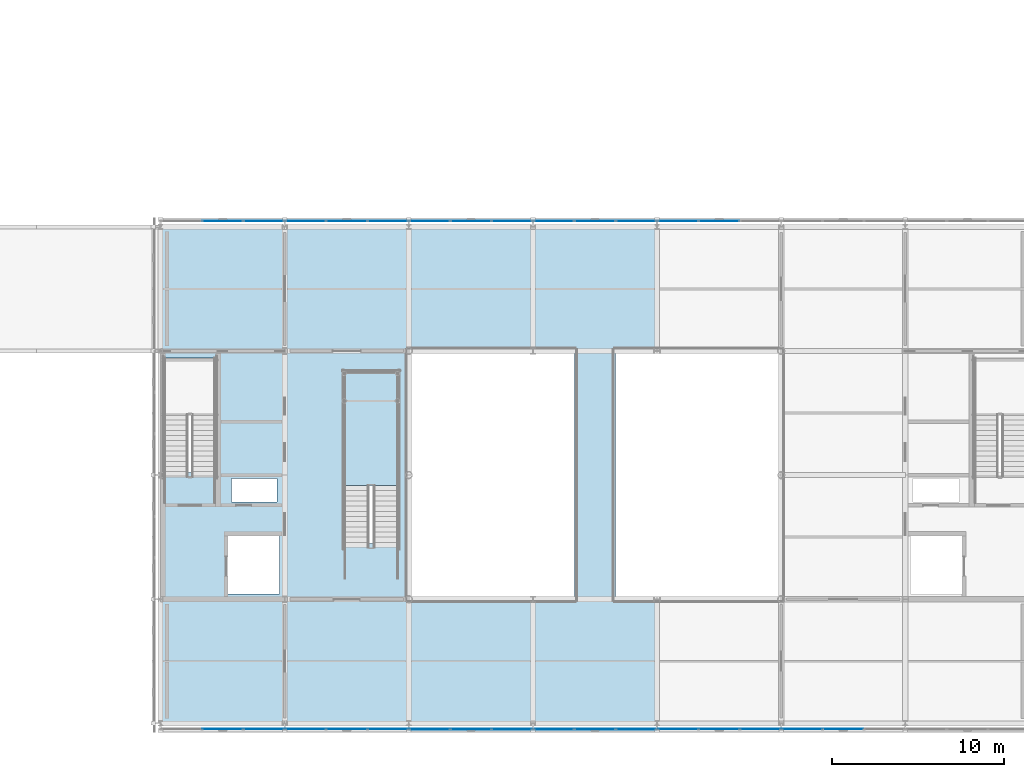
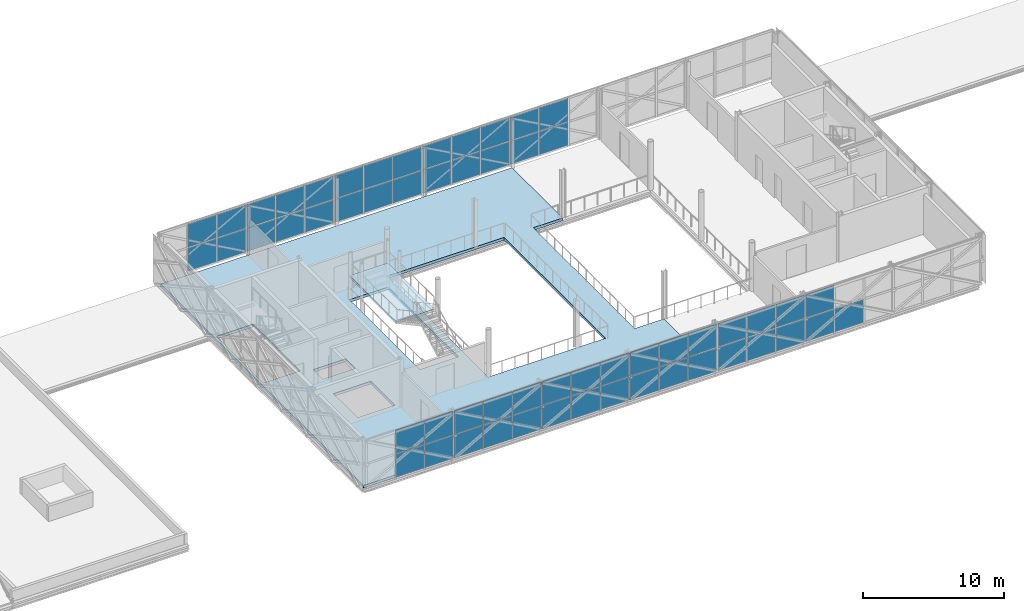
# One storey, part 67 of 103: 57 plates, 2 slabs, 12 elements without a shape of their own.
"""IFC4 building model written with IfcOpenShell, lengths in metres."""

from ifc_helpers import new_model, si_unit, direction, frame, origin, origin_2d, place, context, subcontext, project, spatial, polyline, rectangle, outline, extrude, material, layer, layer_set, type_object, element, aggregate, save


model = new_model("IFC4")

# Units and contexts
model_context = context("Model", 3, precision=1e-05, world=origin(), true_north=direction((0.0, 1.0)))
body_context = subcontext(model_context, "Body", "Model", "MODEL_VIEW")
ifc_project = project(units=[si_unit("LENGTHUNIT", "METRE"), si_unit("AREAUNIT", "SQUARE_METRE"), si_unit("VOLUMEUNIT", "CUBIC_METRE"), si_unit("PLANEANGLEUNIT", "RADIAN"), si_unit("MASSUNIT", "GRAM", prefix="KILO")], contexts=[model_context])

# Site, building, storey
site_placement = place(None, origin())
site = spatial("IfcSite", under=ifc_project, at=site_placement, CompositionType="ELEMENT")
building_placement = place(site_placement, origin())
building = spatial("IfcBuilding", under=site, at=building_placement, Name="Zlatovets Crest Museum", CompositionType="ELEMENT")
storey_placement = place(building_placement, frame((0.0, 0.0, 12.89990234375)))
storey = spatial("IfcBuildingStorey", under=building, at=storey_placement, Name="L03", CompositionType="ELEMENT", Elevation=12.89990234375)

# Curtain wall, plates
ifc_material_1 = material(Name="Bronze-anodised aluminium and low-E triple glass", Category="aluminium")
curtain_wall_type_1 = type_object("IfcCurtainWallType", Name="CW_CW-V2-L03-M0", PredefinedType="NOTDEFINED", material=ifc_material_1)
curtain_wall_1_placement = place(storey_placement, origin())
curtain_wall_1 = element("IfcCurtainWall", 1, at=curtain_wall_1_placement, inside=storey, type_object=curtain_wall_type_1, Name="V2 L03 Secession Foyer Clear Curtain Wall", PredefinedType="NOTDEFINED")
ifc_material_2 = material(Name="Solar-control low-E laminated triple glass", Category="glass")
ifc_layer_1 = layer(ifc_material_2, 0.028076171875)
ifc_layer_set_1 = layer_set([ifc_layer_1], Name="Solar-control low-E laminated triple glass")
plate_type_1 = type_object("IfcPlateType", Name="CWPanel_CW-V2-L03-M0", PredefinedType="CURTAIN_PANEL", material=ifc_layer_set_1)
plate_1_placement = place(storey_placement, frame((61.199951171875, -0.340087890625, 0.06005859375), z_axis=(0.0, 0.0, 1.0), x_axis=(1.0, 0.0, 0.0)))
plate_1 = element("IfcPlate", 2, at=plate_1_placement, type_object=plate_type_1, Name="CW-V2-L03-M0 panel 2.1", PredefinedType="CURTAIN_PANEL", context=body_context, shape_type="SweptSolid", body=[
    extrude(rectangle(XDim=2.340087890625, YDim=0.028076171875, at=origin_2d()), origin(), (0.0, 0.0, 1.0), 2.010009765625),
])
plate_2_placement = place(storey_placement, frame((61.199951171875, -0.340087890625, 2.1298828125), z_axis=(0.0, 0.0, 1.0), x_axis=(1.0, 0.0, 0.0)))
plate_2 = element("IfcPlate", 3, at=plate_2_placement, type_object=plate_type_1, Name="CW-V2-L03-M0 panel 2.2", PredefinedType="CURTAIN_PANEL", context=body_context, shape_type="SweptSolid", body=[
    extrude(rectangle(XDim=2.340087890625, YDim=0.028076171875, at=origin_2d()), origin(), (0.0, 0.0, 1.0), 2.010009765625),
])
plate_3_placement = place(storey_placement, frame((63.5849609375, -0.340087890625, 0.06005859375), z_axis=(0.0, 0.0, 1.0), x_axis=(1.0, 0.0, 0.0)))
plate_3 = element("IfcPlate", 4, at=plate_3_placement, type_object=plate_type_1, Name="CW-V2-L03-M0 panel 3.1", PredefinedType="CURTAIN_PANEL", context=body_context, shape_type="SweptSolid", body=[
    extrude(rectangle(XDim=2.31005859375, YDim=0.028076171875, at=origin_2d()), origin(), (0.0, 0.0, 1.0), 2.010009765625),
])
plate_4_placement = place(storey_placement, frame((63.5849609375, -0.340087890625, 2.1298828125), z_axis=(0.0, 0.0, 1.0), x_axis=(1.0, 0.0, 0.0)))
plate_4 = element("IfcPlate", 5, at=plate_4_placement, type_object=plate_type_1, Name="CW-V2-L03-M0 panel 3.2", PredefinedType="CURTAIN_PANEL", context=body_context, shape_type="SweptSolid", body=[
    extrude(rectangle(XDim=2.31005859375, YDim=0.028076171875, at=origin_2d()), origin(), (0.0, 0.0, 1.0), 2.010009765625),
])
aggregate(curtain_wall_1, [plate_1, plate_2, plate_3, plate_4])

curtain_wall_2_placement = place(storey_placement, origin())
curtain_wall_2 = element("IfcCurtainWall", 6, at=curtain_wall_2_placement, inside=storey, type_object=curtain_wall_type_1, Name="V2 L03 Secession Foyer Clear Curtain Wall", PredefinedType="NOTDEFINED")
plate_5_placement = place(storey_placement, frame((87.614990234375, -0.340087890625, 0.06005859375), z_axis=(0.0, 0.0, 1.0), x_axis=(1.0, 0.0, 0.0)))
plate_5 = element("IfcPlate", 7, at=plate_5_placement, type_object=plate_type_1, Name="CW-V2-L03-M0 panel 1.1", PredefinedType="CURTAIN_PANEL", context=body_context, shape_type="SweptSolid", body=[
    extrude(rectangle(XDim=2.31005859375, YDim=0.028076171875, at=origin_2d()), origin(), (0.0, 0.0, 1.0), 2.010009765625),
])
plate_6_placement = place(storey_placement, frame((87.614990234375, -0.340087890625, 2.1298828125), z_axis=(0.0, 0.0, 1.0), x_axis=(1.0, 0.0, 0.0)))
plate_6 = element("IfcPlate", 8, at=plate_6_placement, type_object=plate_type_1, Name="CW-V2-L03-M0 panel 1.2", PredefinedType="CURTAIN_PANEL", context=body_context, shape_type="SweptSolid", body=[
    extrude(rectangle(XDim=2.31005859375, YDim=0.028076171875, at=origin_2d()), origin(), (0.0, 0.0, 1.0), 2.010009765625),
])
plate_7_placement = place(storey_placement, frame((90.0, -0.340087890625, 0.06005859375), z_axis=(0.0, 0.0, 1.0), x_axis=(1.0, 0.0, 0.0)))
plate_7 = element("IfcPlate", 9, at=plate_7_placement, type_object=plate_type_1, Name="CW-V2-L03-M0 panel 2.1", PredefinedType="CURTAIN_PANEL", context=body_context, shape_type="SweptSolid", body=[
    extrude(rectangle(XDim=2.340087890625, YDim=0.028076171875, at=origin_2d()), origin(), (0.0, 0.0, 1.0), 2.010009765625),
])
plate_8_placement = place(storey_placement, frame((90.0, -0.340087890625, 2.1298828125), z_axis=(0.0, 0.0, 1.0), x_axis=(1.0, 0.0, 0.0)))
plate_8 = element("IfcPlate", 10, at=plate_8_placement, type_object=plate_type_1, Name="CW-V2-L03-M0 panel 2.2", PredefinedType="CURTAIN_PANEL", context=body_context, shape_type="SweptSolid", body=[
    extrude(rectangle(XDim=2.340087890625, YDim=0.028076171875, at=origin_2d()), origin(), (0.0, 0.0, 1.0), 2.010009765625),
])
plate_9_placement = place(storey_placement, frame((92.385009765625, -0.340087890625, 0.06005859375), z_axis=(0.0, 0.0, 1.0), x_axis=(1.0, 0.0, 0.0)))
plate_9 = element("IfcPlate", 11, at=plate_9_placement, type_object=plate_type_1, Name="CW-V2-L03-M0 panel 3.1", PredefinedType="CURTAIN_PANEL", context=body_context, shape_type="SweptSolid", body=[
    extrude(rectangle(XDim=2.31005859375, YDim=0.028076171875, at=origin_2d()), origin(), (0.0, 0.0, 1.0), 2.010009765625),
])
plate_10_placement = place(storey_placement, frame((92.385009765625, -0.340087890625, 2.1298828125), z_axis=(0.0, 0.0, 1.0), x_axis=(1.0, 0.0, 0.0)))
plate_10 = element("IfcPlate", 12, at=plate_10_placement, type_object=plate_type_1, Name="CW-V2-L03-M0 panel 3.2", PredefinedType="CURTAIN_PANEL", context=body_context, shape_type="SweptSolid", body=[
    extrude(rectangle(XDim=2.31005859375, YDim=0.028076171875, at=origin_2d()), origin(), (0.0, 0.0, 1.0), 2.010009765625),
])
aggregate(curtain_wall_2, [plate_5, plate_6, plate_7, plate_8, plate_9, plate_10])

curtain_wall_3_placement = place(storey_placement, origin())
curtain_wall_3 = element("IfcCurtainWall", 13, at=curtain_wall_3_placement, inside=storey, type_object=curtain_wall_type_1, Name="V2 L03 Secession Foyer Clear Curtain Wall", PredefinedType="NOTDEFINED")
plate_11_placement = place(storey_placement, frame((70.784912109375, 29.139892578125, 0.06005859375), z_axis=(0.0, 0.0, 1.0), x_axis=(-1.0, 0.0, 0.0)))
plate_11 = element("IfcPlate", 14, at=plate_11_placement, type_object=plate_type_1, Name="CW-V2-L03-M0 panel 1.1", PredefinedType="CURTAIN_PANEL", context=body_context, shape_type="SweptSolid", body=[
    extrude(rectangle(XDim=2.31005859375, YDim=0.028076171875, at=origin_2d()), origin(), (0.0, 0.0, 1.0), 2.010009765625),
])
plate_12_placement = place(storey_placement, frame((70.784912109375, 29.139892578125, 2.1298828125), z_axis=(0.0, 0.0, 1.0), x_axis=(-1.0, 0.0, 0.0)))
plate_12 = element("IfcPlate", 15, at=plate_12_placement, type_object=plate_type_1, Name="CW-V2-L03-M0 panel 1.2", PredefinedType="CURTAIN_PANEL", context=body_context, shape_type="SweptSolid", body=[
    extrude(rectangle(XDim=2.31005859375, YDim=0.028076171875, at=origin_2d()), origin(), (0.0, 0.0, 1.0), 2.010009765625),
])
plate_13_placement = place(storey_placement, frame((68.39990234375, 29.139892578125, 0.06005859375), z_axis=(0.0, 0.0, 1.0), x_axis=(-1.0, 0.0, 0.0)))
plate_13 = element("IfcPlate", 16, at=plate_13_placement, type_object=plate_type_1, Name="CW-V2-L03-M0 panel 2.1", PredefinedType="CURTAIN_PANEL", context=body_context, shape_type="SweptSolid", body=[
    extrude(rectangle(XDim=2.340087890625, YDim=0.028076171875, at=origin_2d()), origin(), (0.0, 0.0, 1.0), 2.010009765625),
])
plate_14_placement = place(storey_placement, frame((68.39990234375, 29.139892578125, 2.1298828125), z_axis=(0.0, 0.0, 1.0), x_axis=(-1.0, 0.0, 0.0)))
plate_14 = element("IfcPlate", 17, at=plate_14_placement, type_object=plate_type_1, Name="CW-V2-L03-M0 panel 2.2", PredefinedType="CURTAIN_PANEL", context=body_context, shape_type="SweptSolid", body=[
    extrude(rectangle(XDim=2.340087890625, YDim=0.028076171875, at=origin_2d()), origin(), (0.0, 0.0, 1.0), 2.010009765625),
])
plate_15_placement = place(storey_placement, frame((66.014892578125, 29.139892578125, 0.06005859375), z_axis=(0.0, 0.0, 1.0), x_axis=(-1.0, 0.0, 0.0)))
plate_15 = element("IfcPlate", 18, at=plate_15_placement, type_object=plate_type_1, Name="CW-V2-L03-M0 panel 3.1", PredefinedType="CURTAIN_PANEL", context=body_context, shape_type="SweptSolid", body=[
    extrude(rectangle(XDim=2.31005859375, YDim=0.028076171875, at=origin_2d()), origin(), (0.0, 0.0, 1.0), 2.010009765625),
])
plate_16_placement = place(storey_placement, frame((66.014892578125, 29.139892578125, 2.1298828125), z_axis=(0.0, 0.0, 1.0), x_axis=(-1.0, 0.0, 0.0)))
plate_16 = element("IfcPlate", 19, at=plate_16_placement, type_object=plate_type_1, Name="CW-V2-L03-M0 panel 3.2", PredefinedType="CURTAIN_PANEL", context=body_context, shape_type="SweptSolid", body=[
    extrude(rectangle(XDim=2.31005859375, YDim=0.028076171875, at=origin_2d()), origin(), (0.0, 0.0, 1.0), 2.010009765625),
])
aggregate(curtain_wall_3, [plate_11, plate_12, plate_13, plate_14, plate_15, plate_16])

curtain_wall_type_2 = type_object("IfcCurtainWallType", Name="CW_CW-V2-L03-M1", PredefinedType="NOTDEFINED", material=ifc_material_1)
curtain_wall_4_placement = place(storey_placement, origin())
curtain_wall_4 = element("IfcCurtainWall", 20, at=curtain_wall_4_placement, inside=storey, type_object=curtain_wall_type_2, Name="V2 L03 Secession Foyer Clear Curtain Wall", PredefinedType="NOTDEFINED")
ifc_layer_2 = layer(ifc_material_2, 0.031982421875)
ifc_layer_set_2 = layer_set([ifc_layer_2], Name="Solar-control low-E laminated triple glass")
plate_type_2 = type_object("IfcPlateType", Name="CWPanel_CW-V2-L03-M1", PredefinedType="CURTAIN_PANEL", material=ifc_layer_set_2)
plate_17_placement = place(storey_placement, frame((66.014892578125, -0.340087890625, 0.06005859375), z_axis=(0.0, 0.0, 1.0), x_axis=(1.0, 0.0, 0.0)))
plate_17 = element("IfcPlate", 21, at=plate_17_placement, type_object=plate_type_2, Name="CW-V2-L03-M1 panel 1.1", PredefinedType="CURTAIN_PANEL", context=body_context, shape_type="SweptSolid", body=[
    extrude(rectangle(XDim=2.31005859375, YDim=0.031982421875, at=origin_2d()), origin(), (0.0, 0.0, 1.0), 2.010009765625),
])
plate_18_placement = place(storey_placement, frame((66.014892578125, -0.340087890625, 2.1298828125), z_axis=(0.0, 0.0, 1.0), x_axis=(1.0, 0.0, 0.0)))
plate_18 = element("IfcPlate", 22, at=plate_18_placement, type_object=plate_type_2, Name="CW-V2-L03-M1 panel 1.2", PredefinedType="CURTAIN_PANEL", context=body_context, shape_type="SweptSolid", body=[
    extrude(rectangle(XDim=2.31005859375, YDim=0.031982421875, at=origin_2d()), origin(), (0.0, 0.0, 1.0), 2.010009765625),
])
plate_19_placement = place(storey_placement, frame((68.39990234375, -0.340087890625, 0.06005859375), z_axis=(0.0, 0.0, 1.0), x_axis=(1.0, 0.0, 0.0)))
plate_19 = element("IfcPlate", 23, at=plate_19_placement, type_object=plate_type_2, Name="CW-V2-L03-M1 panel 2.1", PredefinedType="CURTAIN_PANEL", context=body_context, shape_type="SweptSolid", body=[
    extrude(rectangle(XDim=2.340087890625, YDim=0.031982421875, at=origin_2d()), origin(), (0.0, 0.0, 1.0), 2.010009765625),
])
plate_20_placement = place(storey_placement, frame((68.39990234375, -0.340087890625, 2.1298828125), z_axis=(0.0, 0.0, 1.0), x_axis=(1.0, 0.0, 0.0)))
plate_20 = element("IfcPlate", 24, at=plate_20_placement, type_object=plate_type_2, Name="CW-V2-L03-M1 panel 2.2", PredefinedType="CURTAIN_PANEL", context=body_context, shape_type="SweptSolid", body=[
    extrude(rectangle(XDim=2.340087890625, YDim=0.031982421875, at=origin_2d()), origin(), (0.0, 0.0, 1.0), 2.010009765625),
])
plate_21_placement = place(storey_placement, frame((70.784912109375, -0.340087890625, 0.06005859375), z_axis=(0.0, 0.0, 1.0), x_axis=(1.0, 0.0, 0.0)))
plate_21 = element("IfcPlate", 25, at=plate_21_placement, type_object=plate_type_2, Name="CW-V2-L03-M1 panel 3.1", PredefinedType="CURTAIN_PANEL", context=body_context, shape_type="SweptSolid", body=[
    extrude(rectangle(XDim=2.31005859375, YDim=0.031982421875, at=origin_2d()), origin(), (0.0, 0.0, 1.0), 2.010009765625),
])
plate_22_placement = place(storey_placement, frame((70.784912109375, -0.340087890625, 2.1298828125), z_axis=(0.0, 0.0, 1.0), x_axis=(1.0, 0.0, 0.0)))
plate_22 = element("IfcPlate", 26, at=plate_22_placement, type_object=plate_type_2, Name="CW-V2-L03-M1 panel 3.2", PredefinedType="CURTAIN_PANEL", context=body_context, shape_type="SweptSolid", body=[
    extrude(rectangle(XDim=2.31005859375, YDim=0.031982421875, at=origin_2d()), origin(), (0.0, 0.0, 1.0), 2.010009765625),
])
aggregate(curtain_wall_4, [plate_17, plate_18, plate_19, plate_20, plate_21, plate_22])

curtain_wall_5_placement = place(storey_placement, origin())
curtain_wall_5 = element("IfcCurtainWall", 27, at=curtain_wall_5_placement, inside=storey, type_object=curtain_wall_type_2, Name="V2 L03 Secession Foyer Clear Curtain Wall", PredefinedType="NOTDEFINED")
plate_23_placement = place(storey_placement, frame((94.81494140625, -0.340087890625, 0.06005859375), z_axis=(0.0, 0.0, 1.0), x_axis=(1.0, 0.0, 0.0)))
plate_23 = element("IfcPlate", 28, at=plate_23_placement, type_object=plate_type_2, Name="CW-V2-L03-M1 panel 1.1", PredefinedType="CURTAIN_PANEL", context=body_context, shape_type="SweptSolid", body=[
    extrude(rectangle(XDim=2.31005859375, YDim=0.031982421875, at=origin_2d()), origin(), (0.0, 0.0, 1.0), 2.010009765625),
])
plate_24_placement = place(storey_placement, frame((94.81494140625, -0.340087890625, 2.1298828125), z_axis=(0.0, 0.0, 1.0), x_axis=(1.0, 0.0, 0.0)))
plate_24 = element("IfcPlate", 29, at=plate_24_placement, type_object=plate_type_2, Name="CW-V2-L03-M1 panel 1.2", PredefinedType="CURTAIN_PANEL", context=body_context, shape_type="SweptSolid", body=[
    extrude(rectangle(XDim=2.31005859375, YDim=0.031982421875, at=origin_2d()), origin(), (0.0, 0.0, 1.0), 2.010009765625),
])
plate_25_placement = place(storey_placement, frame((97.199951171875, -0.340087890625, 0.06005859375), z_axis=(0.0, 0.0, 1.0), x_axis=(1.0, 0.0, 0.0)))
plate_25 = element("IfcPlate", 30, at=plate_25_placement, type_object=plate_type_2, Name="CW-V2-L03-M1 panel 2.1", PredefinedType="CURTAIN_PANEL", context=body_context, shape_type="SweptSolid", body=[
    extrude(rectangle(XDim=2.340087890625, YDim=0.031982421875, at=origin_2d()), origin(), (0.0, 0.0, 1.0), 2.010009765625),
])
aggregate(curtain_wall_5, [plate_23, plate_24, plate_25])

curtain_wall_6_placement = place(storey_placement, origin())
curtain_wall_6 = element("IfcCurtainWall", 31, at=curtain_wall_6_placement, inside=storey, type_object=curtain_wall_type_2, Name="V2 L03 Secession Foyer Clear Curtain Wall", PredefinedType="NOTDEFINED")
plate_26_placement = place(storey_placement, frame((90.0, 29.139892578125, 0.06005859375), z_axis=(0.0, 0.0, 1.0), x_axis=(-1.0, 0.0, 0.0)))
plate_26 = element("IfcPlate", 32, at=plate_26_placement, type_object=plate_type_2, Name="CW-V2-L03-M1 panel 2.1", PredefinedType="CURTAIN_PANEL", context=body_context, shape_type="SweptSolid", body=[
    extrude(rectangle(XDim=2.340087890625, YDim=0.031982421875, at=origin_2d()), origin(), (0.0, 0.0, 1.0), 2.010009765625),
])
plate_27_placement = place(storey_placement, frame((90.0, 29.139892578125, 2.1298828125), z_axis=(0.0, 0.0, 1.0), x_axis=(-1.0, 0.0, 0.0)))
plate_27 = element("IfcPlate", 33, at=plate_27_placement, type_object=plate_type_2, Name="CW-V2-L03-M1 panel 2.2", PredefinedType="CURTAIN_PANEL", context=body_context, shape_type="SweptSolid", body=[
    extrude(rectangle(XDim=2.340087890625, YDim=0.031982421875, at=origin_2d()), origin(), (0.0, 0.0, 1.0), 2.010009765625),
])
plate_28_placement = place(storey_placement, frame((87.614990234375, 29.139892578125, 0.06005859375), z_axis=(0.0, 0.0, 1.0), x_axis=(-1.0, 0.0, 0.0)))
plate_28 = element("IfcPlate", 34, at=plate_28_placement, type_object=plate_type_2, Name="CW-V2-L03-M1 panel 3.1", PredefinedType="CURTAIN_PANEL", context=body_context, shape_type="SweptSolid", body=[
    extrude(rectangle(XDim=2.31005859375, YDim=0.031982421875, at=origin_2d()), origin(), (0.0, 0.0, 1.0), 2.010009765625),
])
plate_29_placement = place(storey_placement, frame((87.614990234375, 29.139892578125, 2.1298828125), z_axis=(0.0, 0.0, 1.0), x_axis=(-1.0, 0.0, 0.0)))
plate_29 = element("IfcPlate", 35, at=plate_29_placement, type_object=plate_type_2, Name="CW-V2-L03-M1 panel 3.2", PredefinedType="CURTAIN_PANEL", context=body_context, shape_type="SweptSolid", body=[
    extrude(rectangle(XDim=2.31005859375, YDim=0.031982421875, at=origin_2d()), origin(), (0.0, 0.0, 1.0), 2.010009765625),
])
aggregate(curtain_wall_6, [plate_26, plate_27, plate_28, plate_29])

curtain_wall_7_placement = place(storey_placement, origin())
curtain_wall_7 = element("IfcCurtainWall", 36, at=curtain_wall_7_placement, inside=storey, type_object=curtain_wall_type_2, Name="V2 L03 Secession Foyer Clear Curtain Wall", PredefinedType="NOTDEFINED")
plate_30_placement = place(storey_placement, frame((63.5849609375, 29.139892578125, 0.06005859375), z_axis=(0.0, 0.0, 1.0), x_axis=(-1.0, 0.0, 0.0)))
plate_30 = element("IfcPlate", 37, at=plate_30_placement, type_object=plate_type_2, Name="CW-V2-L03-M1 panel 1.1", PredefinedType="CURTAIN_PANEL", context=body_context, shape_type="SweptSolid", body=[
    extrude(rectangle(XDim=2.31005859375, YDim=0.031982421875, at=origin_2d()), origin(), (0.0, 0.0, 1.0), 2.010009765625),
])
plate_31_placement = place(storey_placement, frame((63.5849609375, 29.139892578125, 2.1298828125), z_axis=(0.0, 0.0, 1.0), x_axis=(-1.0, 0.0, 0.0)))
plate_31 = element("IfcPlate", 38, at=plate_31_placement, type_object=plate_type_2, Name="CW-V2-L03-M1 panel 1.2", PredefinedType="CURTAIN_PANEL", context=body_context, shape_type="SweptSolid", body=[
    extrude(rectangle(XDim=2.31005859375, YDim=0.031982421875, at=origin_2d()), origin(), (0.0, 0.0, 1.0), 2.010009765625),
])
plate_32_placement = place(storey_placement, frame((61.199951171875, 29.139892578125, 0.06005859375), z_axis=(0.0, 0.0, 1.0), x_axis=(-1.0, 0.0, 0.0)))
plate_32 = element("IfcPlate", 39, at=plate_32_placement, type_object=plate_type_2, Name="CW-V2-L03-M1 panel 2.1", PredefinedType="CURTAIN_PANEL", context=body_context, shape_type="SweptSolid", body=[
    extrude(rectangle(XDim=2.340087890625, YDim=0.031982421875, at=origin_2d()), origin(), (0.0, 0.0, 1.0), 2.010009765625),
])
plate_33_placement = place(storey_placement, frame((61.199951171875, 29.139892578125, 2.1298828125), z_axis=(0.0, 0.0, 1.0), x_axis=(-1.0, 0.0, 0.0)))
plate_33 = element("IfcPlate", 40, at=plate_33_placement, type_object=plate_type_2, Name="CW-V2-L03-M1 panel 2.2", PredefinedType="CURTAIN_PANEL", context=body_context, shape_type="SweptSolid", body=[
    extrude(rectangle(XDim=2.340087890625, YDim=0.031982421875, at=origin_2d()), origin(), (0.0, 0.0, 1.0), 2.010009765625),
])
aggregate(curtain_wall_7, [plate_30, plate_31, plate_32, plate_33])

curtain_wall_type_3 = type_object("IfcCurtainWallType", Name="CW_CW-V2-L03-M2", PredefinedType="NOTDEFINED", material=ifc_material_1)
curtain_wall_8_placement = place(storey_placement, origin())
curtain_wall_8 = element("IfcCurtainWall", 41, at=curtain_wall_8_placement, inside=storey, type_object=curtain_wall_type_3, Name="V2 L03 Secession Foyer Clear Curtain Wall", PredefinedType="NOTDEFINED")
ifc_layer_3 = layer(ifc_material_2, 0.035888671875)
ifc_layer_set_3 = layer_set([ifc_layer_3], Name="Solar-control low-E laminated triple glass")
plate_type_3 = type_object("IfcPlateType", Name="CWPanel_CW-V2-L03-M2", PredefinedType="CURTAIN_PANEL", material=ifc_layer_set_3)
plate_34_placement = place(storey_placement, frame((73.215087890625, -0.340087890625, 0.06005859375), z_axis=(0.0, 0.0, 1.0), x_axis=(1.0, 0.0, 0.0)))
plate_34 = element("IfcPlate", 42, at=plate_34_placement, type_object=plate_type_3, Name="CW-V2-L03-M2 panel 1.1", PredefinedType="CURTAIN_PANEL", context=body_context, shape_type="SweptSolid", body=[
    extrude(rectangle(XDim=2.31005859375, YDim=0.035888671875, at=origin_2d()), origin(), (0.0, 0.0, 1.0), 2.010009765625),
])
plate_35_placement = place(storey_placement, frame((73.215087890625, -0.340087890625, 2.1298828125), z_axis=(0.0, 0.0, 1.0), x_axis=(1.0, 0.0, 0.0)))
plate_35 = element("IfcPlate", 43, at=plate_35_placement, type_object=plate_type_3, Name="CW-V2-L03-M2 panel 1.2", PredefinedType="CURTAIN_PANEL", context=body_context, shape_type="SweptSolid", body=[
    extrude(rectangle(XDim=2.31005859375, YDim=0.035888671875, at=origin_2d()), origin(), (0.0, 0.0, 1.0), 2.010009765625),
])
plate_36_placement = place(storey_placement, frame((75.60009765625, -0.340087890625, 0.06005859375), z_axis=(0.0, 0.0, 1.0), x_axis=(1.0, 0.0, 0.0)))
plate_36 = element("IfcPlate", 44, at=plate_36_placement, type_object=plate_type_3, Name="CW-V2-L03-M2 panel 2.1", PredefinedType="CURTAIN_PANEL", context=body_context, shape_type="SweptSolid", body=[
    extrude(rectangle(XDim=2.340087890625, YDim=0.035888671875, at=origin_2d()), origin(), (0.0, 0.0, 1.0), 2.010009765625),
])
plate_37_placement = place(storey_placement, frame((75.60009765625, -0.340087890625, 2.1298828125), z_axis=(0.0, 0.0, 1.0), x_axis=(1.0, 0.0, 0.0)))
plate_37 = element("IfcPlate", 45, at=plate_37_placement, type_object=plate_type_3, Name="CW-V2-L03-M2 panel 2.2", PredefinedType="CURTAIN_PANEL", context=body_context, shape_type="SweptSolid", body=[
    extrude(rectangle(XDim=2.340087890625, YDim=0.035888671875, at=origin_2d()), origin(), (0.0, 0.0, 1.0), 2.010009765625),
])
plate_38_placement = place(storey_placement, frame((77.985107421875, -0.340087890625, 0.06005859375), z_axis=(0.0, 0.0, 1.0), x_axis=(1.0, 0.0, 0.0)))
plate_38 = element("IfcPlate", 46, at=plate_38_placement, type_object=plate_type_3, Name="CW-V2-L03-M2 panel 3.1", PredefinedType="CURTAIN_PANEL", context=body_context, shape_type="SweptSolid", body=[
    extrude(rectangle(XDim=2.31005859375, YDim=0.035888671875, at=origin_2d()), origin(), (0.0, 0.0, 1.0), 2.010009765625),
])
plate_39_placement = place(storey_placement, frame((77.985107421875, -0.340087890625, 2.1298828125), z_axis=(0.0, 0.0, 1.0), x_axis=(1.0, 0.0, 0.0)))
plate_39 = element("IfcPlate", 47, at=plate_39_placement, type_object=plate_type_3, Name="CW-V2-L03-M2 panel 3.2", PredefinedType="CURTAIN_PANEL", context=body_context, shape_type="SweptSolid", body=[
    extrude(rectangle(XDim=2.31005859375, YDim=0.035888671875, at=origin_2d()), origin(), (0.0, 0.0, 1.0), 2.010009765625),
])
aggregate(curtain_wall_8, [plate_34, plate_35, plate_36, plate_37, plate_38, plate_39])

curtain_wall_9_placement = place(storey_placement, origin())
curtain_wall_9 = element("IfcCurtainWall", 48, at=curtain_wall_9_placement, inside=storey, type_object=curtain_wall_type_3, Name="V2 L03 Secession Foyer Clear Curtain Wall", PredefinedType="NOTDEFINED")
plate_40_placement = place(storey_placement, frame((85.18505859375, 29.139892578125, 0.06005859375), z_axis=(0.0, 0.0, 1.0), x_axis=(-1.0, 0.0, 0.0)))
plate_40 = element("IfcPlate", 49, at=plate_40_placement, type_object=plate_type_3, Name="CW-V2-L03-M2 panel 1.1", PredefinedType="CURTAIN_PANEL", context=body_context, shape_type="SweptSolid", body=[
    extrude(rectangle(XDim=2.31005859375, YDim=0.035888671875, at=origin_2d()), origin(), (0.0, 0.0, 1.0), 2.010009765625),
])
plate_41_placement = place(storey_placement, frame((85.18505859375, 29.139892578125, 2.1298828125), z_axis=(0.0, 0.0, 1.0), x_axis=(-1.0, 0.0, 0.0)))
plate_41 = element("IfcPlate", 50, at=plate_41_placement, type_object=plate_type_3, Name="CW-V2-L03-M2 panel 1.2", PredefinedType="CURTAIN_PANEL", context=body_context, shape_type="SweptSolid", body=[
    extrude(rectangle(XDim=2.31005859375, YDim=0.035888671875, at=origin_2d()), origin(), (0.0, 0.0, 1.0), 2.010009765625),
])
plate_42_placement = place(storey_placement, frame((82.800048828125, 29.139892578125, 0.06005859375), z_axis=(0.0, 0.0, 1.0), x_axis=(-1.0, 0.0, 0.0)))
plate_42 = element("IfcPlate", 51, at=plate_42_placement, type_object=plate_type_3, Name="CW-V2-L03-M2 panel 2.1", PredefinedType="CURTAIN_PANEL", context=body_context, shape_type="SweptSolid", body=[
    extrude(rectangle(XDim=2.340087890625, YDim=0.035888671875, at=origin_2d()), origin(), (0.0, 0.0, 1.0), 2.010009765625),
])
plate_43_placement = place(storey_placement, frame((82.800048828125, 29.139892578125, 2.1298828125), z_axis=(0.0, 0.0, 1.0), x_axis=(-1.0, 0.0, 0.0)))
plate_43 = element("IfcPlate", 52, at=plate_43_placement, type_object=plate_type_3, Name="CW-V2-L03-M2 panel 2.2", PredefinedType="CURTAIN_PANEL", context=body_context, shape_type="SweptSolid", body=[
    extrude(rectangle(XDim=2.340087890625, YDim=0.035888671875, at=origin_2d()), origin(), (0.0, 0.0, 1.0), 2.010009765625),
])
plate_44_placement = place(storey_placement, frame((80.4150390625, 29.139892578125, 0.06005859375), z_axis=(0.0, 0.0, 1.0), x_axis=(-1.0, 0.0, 0.0)))
plate_44 = element("IfcPlate", 53, at=plate_44_placement, type_object=plate_type_3, Name="CW-V2-L03-M2 panel 3.1", PredefinedType="CURTAIN_PANEL", context=body_context, shape_type="SweptSolid", body=[
    extrude(rectangle(XDim=2.31005859375, YDim=0.035888671875, at=origin_2d()), origin(), (0.0, 0.0, 1.0), 2.010009765625),
])
plate_45_placement = place(storey_placement, frame((80.4150390625, 29.139892578125, 2.1298828125), z_axis=(0.0, 0.0, 1.0), x_axis=(-1.0, 0.0, 0.0)))
plate_45 = element("IfcPlate", 54, at=plate_45_placement, type_object=plate_type_3, Name="CW-V2-L03-M2 panel 3.2", PredefinedType="CURTAIN_PANEL", context=body_context, shape_type="SweptSolid", body=[
    extrude(rectangle(XDim=2.31005859375, YDim=0.035888671875, at=origin_2d()), origin(), (0.0, 0.0, 1.0), 2.010009765625),
])
aggregate(curtain_wall_9, [plate_40, plate_41, plate_42, plate_43, plate_44, plate_45])

curtain_wall_type_4 = type_object("IfcCurtainWallType", Name="CW_CW-V2-L03-M3", PredefinedType="NOTDEFINED", material=ifc_material_1)
curtain_wall_10_placement = place(storey_placement, origin())
curtain_wall_10 = element("IfcCurtainWall", 55, at=curtain_wall_10_placement, inside=storey, type_object=curtain_wall_type_4, Name="V2 L03 Secession Foyer Clear Curtain Wall", PredefinedType="NOTDEFINED")
ifc_layer_4 = layer(ifc_material_2, 0.0400390625)
ifc_layer_set_4 = layer_set([ifc_layer_4], Name="Solar-control low-E laminated triple glass")
plate_type_4 = type_object("IfcPlateType", Name="CWPanel_CW-V2-L03-M3", PredefinedType="CURTAIN_PANEL", material=ifc_layer_set_4)
plate_46_placement = place(storey_placement, frame((80.4150390625, -0.340087890625, 0.06005859375), z_axis=(0.0, 0.0, 1.0), x_axis=(1.0, 0.0, 0.0)))
plate_46 = element("IfcPlate", 56, at=plate_46_placement, type_object=plate_type_4, Name="CW-V2-L03-M3 panel 1.1", PredefinedType="CURTAIN_PANEL", context=body_context, shape_type="SweptSolid", body=[
    extrude(rectangle(XDim=2.31005859375, YDim=0.0400390625, at=origin_2d()), origin(), (0.0, 0.0, 1.0), 2.010009765625),
])
plate_47_placement = place(storey_placement, frame((80.4150390625, -0.340087890625, 2.1298828125), z_axis=(0.0, 0.0, 1.0), x_axis=(1.0, 0.0, 0.0)))
plate_47 = element("IfcPlate", 57, at=plate_47_placement, type_object=plate_type_4, Name="CW-V2-L03-M3 panel 1.2", PredefinedType="CURTAIN_PANEL", context=body_context, shape_type="SweptSolid", body=[
    extrude(rectangle(XDim=2.31005859375, YDim=0.0400390625, at=origin_2d()), origin(), (0.0, 0.0, 1.0), 2.010009765625),
])
plate_48_placement = place(storey_placement, frame((82.800048828125, -0.340087890625, 0.06005859375), z_axis=(0.0, 0.0, 1.0), x_axis=(1.0, 0.0, 0.0)))
plate_48 = element("IfcPlate", 58, at=plate_48_placement, type_object=plate_type_4, Name="CW-V2-L03-M3 panel 2.1", PredefinedType="CURTAIN_PANEL", context=body_context, shape_type="SweptSolid", body=[
    extrude(rectangle(XDim=2.340087890625, YDim=0.0400390625, at=origin_2d()), origin(), (0.0, 0.0, 1.0), 2.010009765625),
])
plate_49_placement = place(storey_placement, frame((82.800048828125, -0.340087890625, 2.1298828125), z_axis=(0.0, 0.0, 1.0), x_axis=(1.0, 0.0, 0.0)))
plate_49 = element("IfcPlate", 59, at=plate_49_placement, type_object=plate_type_4, Name="CW-V2-L03-M3 panel 2.2", PredefinedType="CURTAIN_PANEL", context=body_context, shape_type="SweptSolid", body=[
    extrude(rectangle(XDim=2.340087890625, YDim=0.0400390625, at=origin_2d()), origin(), (0.0, 0.0, 1.0), 2.010009765625),
])
plate_50_placement = place(storey_placement, frame((85.18505859375, -0.340087890625, 0.06005859375), z_axis=(0.0, 0.0, 1.0), x_axis=(1.0, 0.0, 0.0)))
plate_50 = element("IfcPlate", 60, at=plate_50_placement, type_object=plate_type_4, Name="CW-V2-L03-M3 panel 3.1", PredefinedType="CURTAIN_PANEL", context=body_context, shape_type="SweptSolid", body=[
    extrude(rectangle(XDim=2.31005859375, YDim=0.0400390625, at=origin_2d()), origin(), (0.0, 0.0, 1.0), 2.010009765625),
])
plate_51_placement = place(storey_placement, frame((85.18505859375, -0.340087890625, 2.1298828125), z_axis=(0.0, 0.0, 1.0), x_axis=(1.0, 0.0, 0.0)))
plate_51 = element("IfcPlate", 61, at=plate_51_placement, type_object=plate_type_4, Name="CW-V2-L03-M3 panel 3.2", PredefinedType="CURTAIN_PANEL", context=body_context, shape_type="SweptSolid", body=[
    extrude(rectangle(XDim=2.31005859375, YDim=0.0400390625, at=origin_2d()), origin(), (0.0, 0.0, 1.0), 2.010009765625),
])
aggregate(curtain_wall_10, [plate_46, plate_47, plate_48, plate_49, plate_50, plate_51])

curtain_wall_11_placement = place(storey_placement, origin())
curtain_wall_11 = element("IfcCurtainWall", 62, at=curtain_wall_11_placement, inside=storey, type_object=curtain_wall_type_4, Name="V2 L03 Secession Foyer Clear Curtain Wall", PredefinedType="NOTDEFINED")
plate_52_placement = place(storey_placement, frame((77.985107421875, 29.139892578125, 0.06005859375), z_axis=(0.0, 0.0, 1.0), x_axis=(-1.0, 0.0, 0.0)))
plate_52 = element("IfcPlate", 63, at=plate_52_placement, type_object=plate_type_4, Name="CW-V2-L03-M3 panel 1.1", PredefinedType="CURTAIN_PANEL", context=body_context, shape_type="SweptSolid", body=[
    extrude(rectangle(XDim=2.31005859375, YDim=0.0400390625, at=origin_2d()), origin(), (0.0, 0.0, 1.0), 2.010009765625),
])
plate_53_placement = place(storey_placement, frame((77.985107421875, 29.139892578125, 2.1298828125), z_axis=(0.0, 0.0, 1.0), x_axis=(-1.0, 0.0, 0.0)))
plate_53 = element("IfcPlate", 64, at=plate_53_placement, type_object=plate_type_4, Name="CW-V2-L03-M3 panel 1.2", PredefinedType="CURTAIN_PANEL", context=body_context, shape_type="SweptSolid", body=[
    extrude(rectangle(XDim=2.31005859375, YDim=0.0400390625, at=origin_2d()), origin(), (0.0, 0.0, 1.0), 2.010009765625),
])
plate_54_placement = place(storey_placement, frame((75.60009765625, 29.139892578125, 0.06005859375), z_axis=(0.0, 0.0, 1.0), x_axis=(-1.0, 0.0, 0.0)))
plate_54 = element("IfcPlate", 65, at=plate_54_placement, type_object=plate_type_4, Name="CW-V2-L03-M3 panel 2.1", PredefinedType="CURTAIN_PANEL", context=body_context, shape_type="SweptSolid", body=[
    extrude(rectangle(XDim=2.340087890625, YDim=0.0400390625, at=origin_2d()), origin(), (0.0, 0.0, 1.0), 2.010009765625),
])
plate_55_placement = place(storey_placement, frame((75.60009765625, 29.139892578125, 2.1298828125), z_axis=(0.0, 0.0, 1.0), x_axis=(-1.0, 0.0, 0.0)))
plate_55 = element("IfcPlate", 66, at=plate_55_placement, type_object=plate_type_4, Name="CW-V2-L03-M3 panel 2.2", PredefinedType="CURTAIN_PANEL", context=body_context, shape_type="SweptSolid", body=[
    extrude(rectangle(XDim=2.340087890625, YDim=0.0400390625, at=origin_2d()), origin(), (0.0, 0.0, 1.0), 2.010009765625),
])
plate_56_placement = place(storey_placement, frame((73.215087890625, 29.139892578125, 0.06005859375), z_axis=(0.0, 0.0, 1.0), x_axis=(-1.0, 0.0, 0.0)))
plate_56 = element("IfcPlate", 67, at=plate_56_placement, type_object=plate_type_4, Name="CW-V2-L03-M3 panel 3.1", PredefinedType="CURTAIN_PANEL", context=body_context, shape_type="SweptSolid", body=[
    extrude(rectangle(XDim=2.31005859375, YDim=0.0400390625, at=origin_2d()), origin(), (0.0, 0.0, 1.0), 2.010009765625),
])
plate_57_placement = place(storey_placement, frame((73.215087890625, 29.139892578125, 2.1298828125), z_axis=(0.0, 0.0, 1.0), x_axis=(-1.0, 0.0, 0.0)))
plate_57 = element("IfcPlate", 68, at=plate_57_placement, type_object=plate_type_4, Name="CW-V2-L03-M3 panel 3.2", PredefinedType="CURTAIN_PANEL", context=body_context, shape_type="SweptSolid", body=[
    extrude(rectangle(XDim=2.31005859375, YDim=0.0400390625, at=origin_2d()), origin(), (0.0, 0.0, 1.0), 2.010009765625),
])
aggregate(curtain_wall_11, [plate_52, plate_53, plate_54, plate_55, plate_56, plate_57])

# Slab
ifc_material_3 = material(Name="Concrete C30/37", Category="concrete")
ifc_layer_5 = layer(ifc_material_3, 0.239990234375)
ifc_layer_set_5 = layer_set([ifc_layer_5], Name="Concrete C30/37")
slab_type_1 = type_object("IfcSlabType", Name="Slab_FS-03", PredefinedType="FLOOR", material=ifc_layer_set_5)
slab_1_placement = place(storey_placement, frame((0.0, 0.0, -0.239990234375)))
element("IfcSlab", 69, at=slab_1_placement, inside=storey, type_object=slab_type_1, Name="V2 L03 Structural Slab Panel 1", PredefinedType="FLOOR", context=body_context, shape_type="SweptSolid", body=[
    extrude(outline(polyline([(57.60009765625, 28.800048828125), (86.39990234375, 28.800048828125), (86.39990234375, 21.60009765625), (84.0, 21.60009765625), (84.0, 7.199951171875), (86.39990234375, 7.199951171875), (86.39990234375, 0.0), (57.60009765625, 0.0), (57.60009765625, 28.800048828125)]), holes=[polyline([(72.0, 7.199951171875), (81.60009765625, 7.199951171875), (81.60009765625, 21.60009765625), (72.0, 21.60009765625), (72.0, 7.199951171875)]), polyline([(57.800048828125, 14.5400390625), (60.800048828125, 14.5400390625), (60.800048828125, 21.199951171875), (57.800048828125, 21.199951171875), (57.800048828125, 14.5400390625)]), polyline([(71.39990234375, 20.39990234375), (68.25, 20.39990234375), (68.25, 10.43994140625), (71.39990234375, 10.43994140625), (71.39990234375, 20.39990234375)]), polyline([(64.5, 7.5), (64.5, 10.89990234375), (61.449951171875, 10.89990234375), (61.449951171875, 7.5), (64.5, 7.5)]), polyline([(61.699951171875, 12.85009765625), (64.35009765625, 12.85009765625), (64.35009765625, 14.199951171875), (61.699951171875, 14.199951171875), (61.699951171875, 12.85009765625)])]), origin(), (0.0, 0.0, 1.0), 0.239990234375),
])

# Stair, slab
ifc_material_4 = material(Name="Concrete C35/45", Category="concrete")
stair_type = type_object("IfcStairType", Name="Stair_ST6-26R", PredefinedType="HALF_TURN_STAIR", material=ifc_material_4)
stair_placement = place(storey_placement, origin())
stair = element("IfcStair", 70, at=stair_placement, inside=storey, type_object=stair_type, Name="L03 Atrium Feature Stair ST6", PredefinedType="HALF_TURN_STAIR")
ifc_layer_6 = layer(ifc_material_4, 0.199951171875)
ifc_layer_set_6 = layer_set([ifc_layer_6], Name="Concrete C35/45")
slab_type_2 = type_object("IfcSlabType", Name="StairLanding_SLD1", PredefinedType="LANDING", material=ifc_layer_set_6)
slab_2_placement = place(storey_placement, frame((0.0, 0.0, 1.900146484375)))
slab_2 = element("IfcSlab", 71, at=slab_2_placement, type_object=slab_type_2, Name="ST6 landing 1", PredefinedType="LANDING", context=body_context, shape_type="SweptSolid", body=[
    extrude(outline(polyline([(71.39990234375, 13.800048828125), (71.39990234375, 20.39990234375), (68.25, 20.39990234375), (68.25, 13.800048828125), (71.39990234375, 13.800048828125)])), origin(), (0.0, 0.0, 1.0), 0.199951171875),
])
aggregate(stair, [slab_2])

save(model, "model.ifc")
